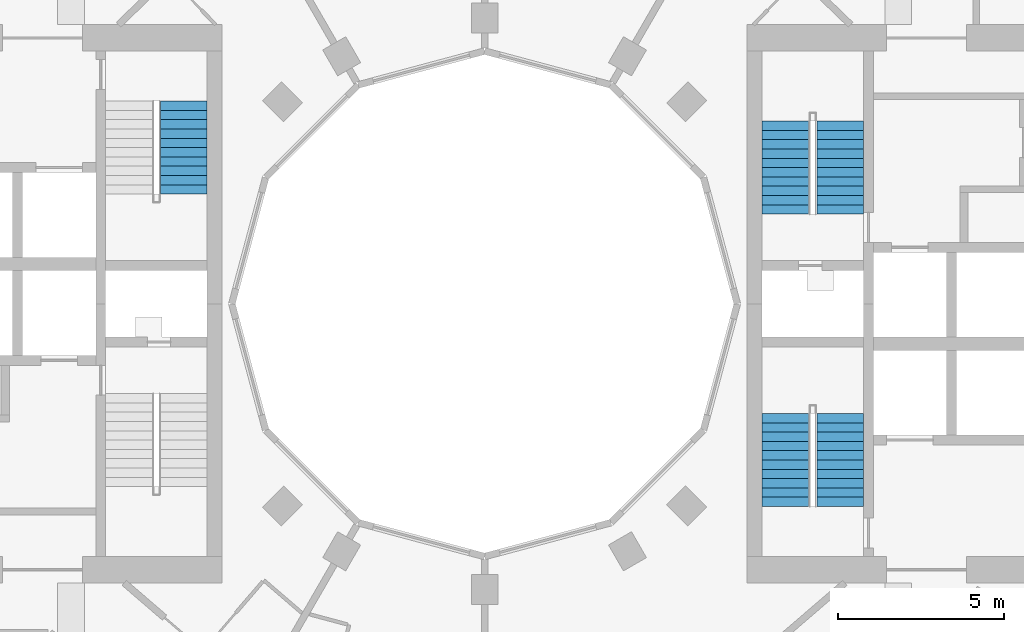
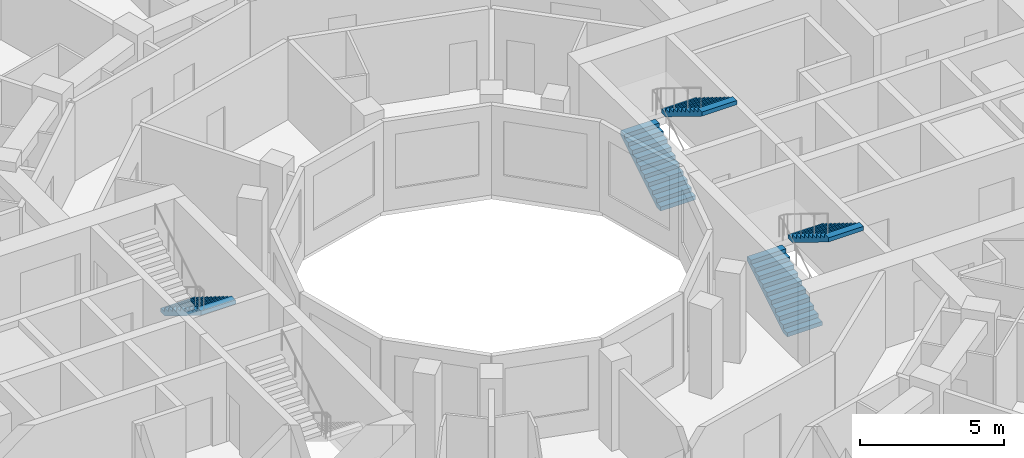
# One storey, part 13 of 15: 5 stair flights, 3 elements without a shape of their own.
"""IFC4 building model written with IfcOpenShell, lengths in metres."""

from ifc_helpers import new_model, si_unit, direction, frame, origin, place, context, subcontext, project, spatial, polyline, outline, extrude, material, layer, layer_set, type_object, element, aggregate, save


model = new_model("IFC4")

# Units and contexts
model_context = context("Model", 3, precision=1e-05, world=origin(), true_north=direction((0.0, 1.0)))
body_context = subcontext(model_context, "Body", "Model", "MODEL_VIEW")
ifc_project = project(units=[si_unit("LENGTHUNIT", "METRE"), si_unit("AREAUNIT", "SQUARE_METRE"), si_unit("VOLUMEUNIT", "CUBIC_METRE"), si_unit("PLANEANGLEUNIT", "RADIAN"), si_unit("MASSUNIT", "GRAM", prefix="KILO")], contexts=[model_context])

# Site, building, storey
site_placement = place(None, origin())
site = spatial("IfcSite", under=ifc_project, at=site_placement, CompositionType="ELEMENT")
building_placement = place(site_placement, origin())
building = spatial("IfcBuilding", under=site, at=building_placement, Name="Torre Brocal", CompositionType="ELEMENT")
storey_placement = place(building_placement, frame((0.0, 0.0, 70.60009765625)))
storey = spatial("IfcBuildingStorey", under=building, at=storey_placement, Name="L16", CompositionType="ELEMENT", Elevation=70.60009765625)

# Stair, stair flights
ifc_material_1 = material(Name="Concrete C50", Category="concrete")
stair_type = type_object("IfcStairType", Name="EXIT STAIR", PredefinedType="HALF_TURN_STAIR", material=ifc_material_1)
stair_1_placement = place(storey_placement, origin())
stair_1 = element("IfcStair", 1, at=stair_1_placement, inside=storey, type_object=stair_type, Name="EXIT STAIR ST1", PredefinedType="HALF_TURN_STAIR")
ifc_material_2 = material(Name="Concrete C50", Category="concrete")
ifc_layer = layer(ifc_material_2, 0.14990234375)
ifc_layer_set = layer_set([ifc_layer], Name="Concrete C50")
stair_flight_type = type_object("IfcStairFlightType", Name="STAIR FLIGHT", PredefinedType="STRAIGHT", material=ifc_layer_set)
stair_flight_1_placement = place(storey_placement, frame((89.050048828125, 77.699951171875, 0.0), z_axis=(0.0, 0.0, 1.0), x_axis=(0.0, 1.0, 0.0)))
stair_flight_1 = element("IfcStairFlight", 2, at=stair_flight_1_placement, type_object=stair_flight_type, Name="ST1 flight 1", NumberOfRisers=11, NumberOfTreads=10, PredefinedType="STRAIGHT", RiserHeight=0.172727273, TreadLength=0.28, context=body_context, shape_type="SweptSolid", body=[
    extrude(outline(polyline([(0.0, 0.0), (0.0, 0.172607421875), (0.280029296875, 0.172607421875), (0.280029296875, 0.345458984375), (0.56005859375, 0.345458984375), (0.56005859375, 0.51806640625), (0.840087890625, 0.51806640625), (0.840087890625, 0.69091796875), (1.1201171875, 0.69091796875), (1.1201171875, 0.863525390625), (1.39990234375, 0.863525390625), (1.39990234375, 1.036376953125), (1.679931640625, 1.036376953125), (1.679931640625, 1.208984375), (1.9599609375, 1.208984375), (1.9599609375, 1.3818359375), (2.239990234375, 1.3818359375), (2.239990234375, 1.554443359375), (2.52001953125, 1.554443359375), (2.52001953125, 1.727294921875), (2.800048828125, 1.727294921875), (2.800048828125, 1.89990234375), (2.800048828125, 1.551025390625), (0.285400390625, 0.0), (0.0, 0.0)])), frame((0.0, 0.699951171875, 0.0), z_axis=(0.0, -1.0, 0.0), x_axis=(1.0, 0.0, 0.0)), (0.0, 0.0, 1.0), 1.39990234375),
])
stair_flight_2_placement = place(storey_placement, frame((90.699951171875, 80.5, 1.89990234375), z_axis=(0.0, 0.0, 1.0), x_axis=(0.0, -1.0, 0.0)))
stair_flight_2 = element("IfcStairFlight", 3, at=stair_flight_2_placement, type_object=stair_flight_type, Name="ST1 flight 2", NumberOfRisers=11, NumberOfTreads=10, PredefinedType="STRAIGHT", RiserHeight=0.172727273, TreadLength=0.28, context=body_context, shape_type="SweptSolid", body=[
    extrude(outline(polyline([(0.0, 0.0), (0.0, 0.172607421875), (0.280029296875, 0.172607421875), (0.280029296875, 0.345458984375), (0.56005859375, 0.345458984375), (0.56005859375, 0.51806640625), (0.840087890625, 0.51806640625), (0.840087890625, 0.69091796875), (1.1201171875, 0.69091796875), (1.1201171875, 0.863525390625), (1.39990234375, 0.863525390625), (1.39990234375, 1.036376953125), (1.679931640625, 1.036376953125), (1.679931640625, 1.208984375), (1.9599609375, 1.208984375), (1.9599609375, 1.3818359375), (2.239990234375, 1.3818359375), (2.239990234375, 1.554443359375), (2.52001953125, 1.554443359375), (2.52001953125, 1.727294921875), (2.800048828125, 1.727294921875), (2.800048828125, 1.89990234375), (2.800048828125, 1.551025390625), (0.285400390625, 0.0), (0.0, 0.0)])), frame((0.0, 0.699951171875, 0.0), z_axis=(0.0, -1.0, 0.0), x_axis=(1.0, 0.0, 0.0)), (0.0, 0.0, 1.0), 1.39990234375),
])
aggregate(stair_1, [stair_flight_1, stair_flight_2])

stair_2_placement = place(storey_placement, origin())
stair_2 = element("IfcStair", 4, at=stair_2_placement, inside=storey, type_object=stair_type, Name="EXIT STAIR ST2", PredefinedType="HALF_TURN_STAIR")
stair_flight_3_placement = place(storey_placement, frame((89.050048828125, 68.89990234375, 0.0), z_axis=(0.0, 0.0, 1.0), x_axis=(0.0, 1.0, 0.0)))
stair_flight_3 = element("IfcStairFlight", 5, at=stair_flight_3_placement, type_object=stair_flight_type, Name="ST2 flight 1", NumberOfRisers=11, NumberOfTreads=10, PredefinedType="STRAIGHT", RiserHeight=0.172727273, TreadLength=0.28, context=body_context, shape_type="SweptSolid", body=[
    extrude(outline(polyline([(0.0, 0.0), (0.0, 0.172607421875), (0.280029296875, 0.172607421875), (0.280029296875, 0.345458984375), (0.56005859375, 0.345458984375), (0.56005859375, 0.51806640625), (0.840087890625, 0.51806640625), (0.840087890625, 0.69091796875), (1.1201171875, 0.69091796875), (1.1201171875, 0.863525390625), (1.39990234375, 0.863525390625), (1.39990234375, 1.036376953125), (1.679931640625, 1.036376953125), (1.679931640625, 1.208984375), (1.9599609375, 1.208984375), (1.9599609375, 1.3818359375), (2.239990234375, 1.3818359375), (2.239990234375, 1.554443359375), (2.52001953125, 1.554443359375), (2.52001953125, 1.727294921875), (2.800048828125, 1.727294921875), (2.800048828125, 1.89990234375), (2.800048828125, 1.551025390625), (0.285400390625, 0.0), (0.0, 0.0)])), frame((0.0, 0.699951171875, 0.0), z_axis=(0.0, -1.0, 0.0), x_axis=(1.0, 0.0, 0.0)), (0.0, 0.0, 1.0), 1.39990234375),
])
stair_flight_4_placement = place(storey_placement, frame((90.699951171875, 71.699951171875, 1.89990234375), z_axis=(0.0, 0.0, 1.0), x_axis=(0.0, -1.0, 0.0)))
stair_flight_4 = element("IfcStairFlight", 6, at=stair_flight_4_placement, type_object=stair_flight_type, Name="ST2 flight 2", NumberOfRisers=11, NumberOfTreads=10, PredefinedType="STRAIGHT", RiserHeight=0.172727273, TreadLength=0.28, context=body_context, shape_type="SweptSolid", body=[
    extrude(outline(polyline([(0.0, 0.0), (0.0, 0.172607421875), (0.280029296875, 0.172607421875), (0.280029296875, 0.345458984375), (0.56005859375, 0.345458984375), (0.56005859375, 0.51806640625), (0.840087890625, 0.51806640625), (0.840087890625, 0.69091796875), (1.1201171875, 0.69091796875), (1.1201171875, 0.863525390625), (1.39990234375, 0.863525390625), (1.39990234375, 1.036376953125), (1.679931640625, 1.036376953125), (1.679931640625, 1.208984375), (1.9599609375, 1.208984375), (1.9599609375, 1.3818359375), (2.239990234375, 1.3818359375), (2.239990234375, 1.554443359375), (2.52001953125, 1.554443359375), (2.52001953125, 1.727294921875), (2.800048828125, 1.727294921875), (2.800048828125, 1.89990234375), (2.800048828125, 1.551025390625), (0.285400390625, 0.0), (0.0, 0.0)])), frame((0.0, 0.699951171875, 0.0), z_axis=(0.0, -1.0, 0.0), x_axis=(1.0, 0.0, 0.0)), (0.0, 0.0, 1.0), 1.39990234375),
])
aggregate(stair_2, [stair_flight_3, stair_flight_4])

# Stair, stair flight
stair_3_placement = place(storey_placement, origin())
stair_3 = element("IfcStair", 7, at=stair_3_placement, inside=storey, type_object=stair_type, Name="EXIT STAIR ST4", PredefinedType="HALF_TURN_STAIR")
stair_flight_5_placement = place(storey_placement, frame((70.949951171875, 81.10009765625, 0.0), z_axis=(0.0, 0.0, 1.0), x_axis=(0.0, -1.0, 0.0)))
stair_flight_5 = element("IfcStairFlight", 8, at=stair_flight_5_placement, type_object=stair_flight_type, Name="ST4 flight 1", NumberOfRisers=11, NumberOfTreads=10, PredefinedType="STRAIGHT", RiserHeight=0.172727273, TreadLength=0.28, context=body_context, shape_type="SweptSolid", body=[
    extrude(outline(polyline([(0.0, 0.0), (0.0, 0.172607421875), (0.280029296875, 0.172607421875), (0.280029296875, 0.345458984375), (0.56005859375, 0.345458984375), (0.56005859375, 0.51806640625), (0.840087890625, 0.51806640625), (0.840087890625, 0.69091796875), (1.1201171875, 0.69091796875), (1.1201171875, 0.863525390625), (1.39990234375, 0.863525390625), (1.39990234375, 1.036376953125), (1.679931640625, 1.036376953125), (1.679931640625, 1.208984375), (1.9599609375, 1.208984375), (1.9599609375, 1.3818359375), (2.239990234375, 1.3818359375), (2.239990234375, 1.554443359375), (2.52001953125, 1.554443359375), (2.52001953125, 1.727294921875), (2.800048828125, 1.727294921875), (2.800048828125, 1.89990234375), (2.800048828125, 1.551025390625), (0.285400390625, 0.0), (0.0, 0.0)])), frame((0.0, 0.699951171875, 0.0), z_axis=(0.0, -1.0, 0.0), x_axis=(1.0, 0.0, 0.0)), (0.0, 0.0, 1.0), 1.39990234375),
])
aggregate(stair_3, [stair_flight_5])

save(model, "model.ifc")
